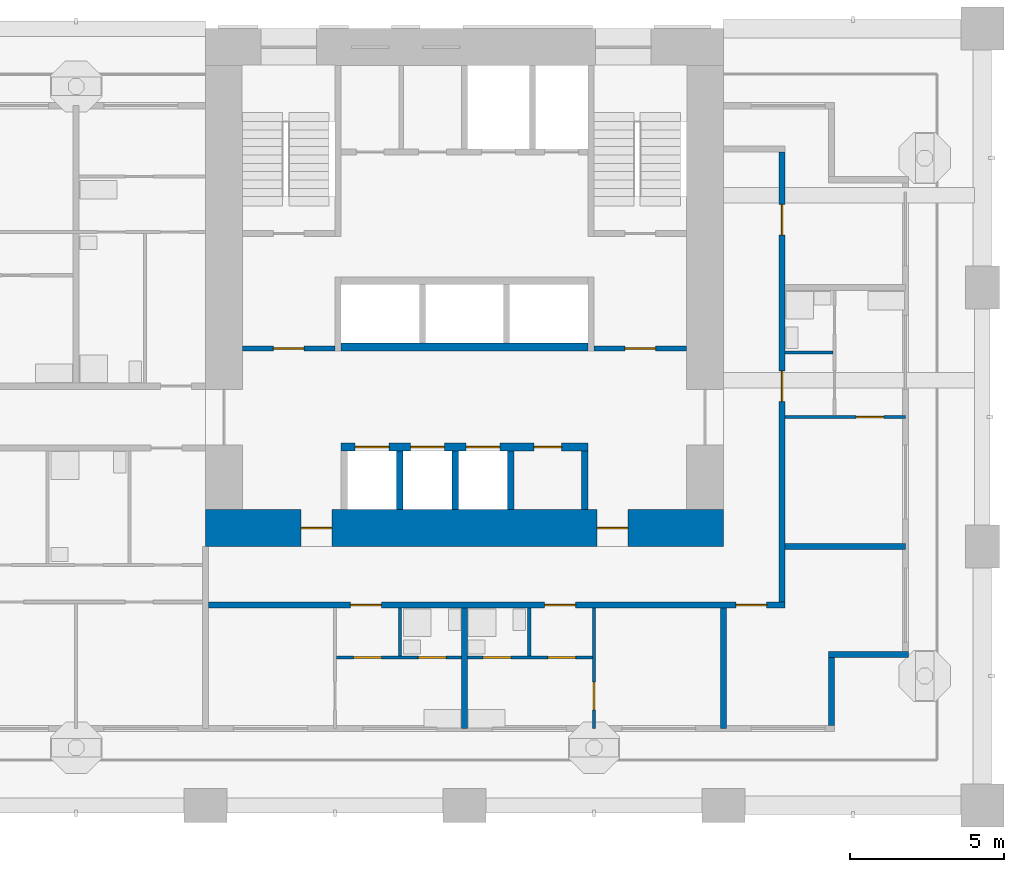
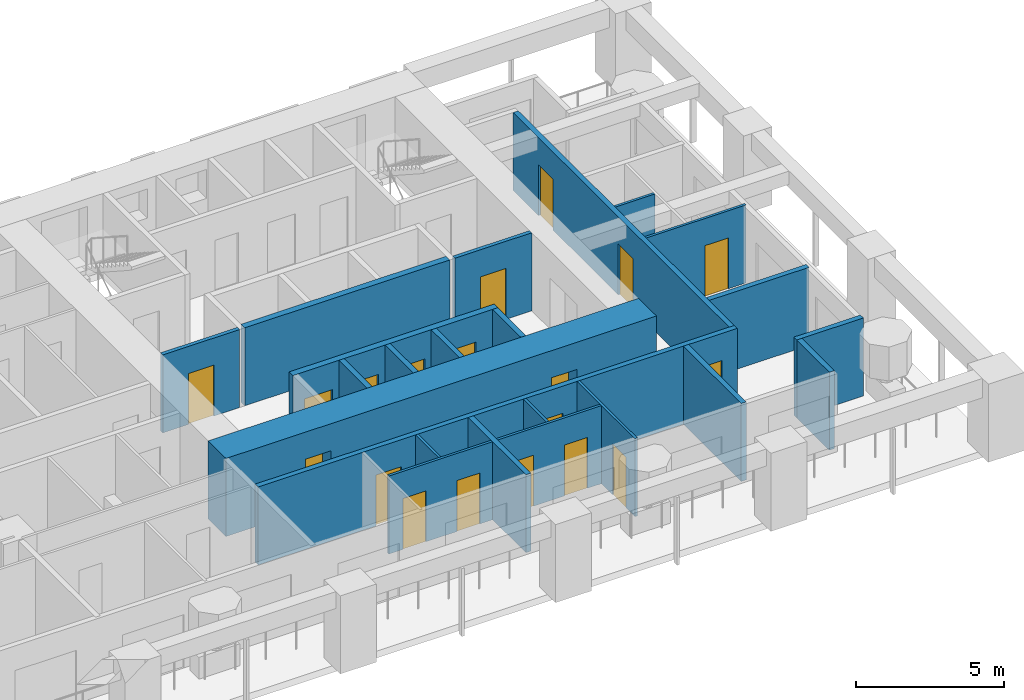
# One storey, part 6 of 21: 22 walls, 19 doors, 19 openings.
"""IFC4 building model written with IfcOpenShell, lengths in metres."""

from ifc_helpers import new_model, si_unit, direction, frame, frame_2d, origin, place, context, subcontext, project, spatial, rectangle, extrude, material, layer, layer_set, type_object, element, fill, save


model = new_model("IFC4")

# Units and contexts
model_context = context("Model", 3, precision=1e-05, world=origin(), true_north=direction((0.0, 1.0)))
body_context = subcontext(model_context, "Body", "Model", "MODEL_VIEW")
ifc_project = project(units=[si_unit("LENGTHUNIT", "METRE"), si_unit("AREAUNIT", "SQUARE_METRE"), si_unit("VOLUMEUNIT", "CUBIC_METRE"), si_unit("PLANEANGLEUNIT", "RADIAN"), si_unit("MASSUNIT", "GRAM", prefix="KILO")], contexts=[model_context])

# Site, building, storey
site_placement = place(None, origin())
site = spatial("IfcSite", under=ifc_project, at=site_placement, CompositionType="ELEMENT")
building_placement = place(site_placement, origin())
building = spatial("IfcBuilding", under=site, at=building_placement, Name="Vermilion Gate Residences", CompositionType="ELEMENT")
storey_placement = place(building_placement, frame((0.0, 0.0, 67.199951171875)))
storey = spatial("IfcBuildingStorey", under=building, at=storey_placement, Name="L16", CompositionType="ELEMENT", Elevation=67.199951171875)

# Wall, opening, door
ifc_material_1 = material(Name="Masonry blockwork", Category="masonry")
ifc_layer_1 = layer(ifc_material_1, 0.14990234375)
ifc_layer_set_1 = layer_set([ifc_layer_1], Name="BLOCKWORK PARTITION 150 EI 120")
wall_type_1 = type_object("IfcWallType", Name="BLOCKWORK PARTITION 150 EI 120", PredefinedType="PARTITIONING", material=ifc_layer_set_1)
wall_1_placement = place(storey_placement, frame((43.199951171875, 14.824951171875, 0.0), z_axis=(0.0, 0.0, 1.0), x_axis=(1.0, 0.0, 0.0)))
wall_1 = element("IfcWall", 1, at=wall_1_placement, inside=storey, type_object=wall_type_1, Name="Core room partition A16-VW-S", PredefinedType="PARTITIONING", context=body_context, shape_type="SweptSolid", body=[
    extrude(rectangle(XDim=3.0, YDim=0.14990234375, at=frame_2d((1.5, 0.0))), origin(), (0.0, 0.0, 1.0), 3.219970703125),
])
opening_1_placement = place(wall_1_placement, frame((1.0, 0.0, 0.0)))
opening_1 = element("IfcOpeningElement", 2, at=opening_1_placement, cuts=wall_1, Name="Opening DK16013", PredefinedType="OPENING", context=body_context, shape_type="SweptSolid", body=[
    extrude(rectangle(XDim=1.0, YDim=2.10009765625, at=frame_2d((0.5, 1.050048828125))), frame((0.0, 0.0849609375, 0.0), z_axis=(0.0, -1.0, 0.0), x_axis=(1.0, 0.0, 0.0)), (0.0, 0.0, 1.0), 0.169921875),
])
ifc_material_2 = material(Name="Steel", Category="steel")
door_type_1 = type_object("IfcDoorType", Name="FIRE DOOR FD60 1000 X 2100", OperationType="SINGLE_SWING_LEFT", PredefinedType="DOOR", material=ifc_material_2)
door_1_placement = place(opening_1_placement, frame((1.0, 0.0, 0.0), z_axis=(0.0, 0.0, 1.0), x_axis=(-1.0, 0.0, 0.0)))
door_1 = element("IfcDoor", 3, at=door_1_placement, inside=storey, type_object=door_type_1, Name="Stair vestibule door A16", OperationType="SINGLE_SWING_RIGHT", OverallHeight=2.10009765625, OverallWidth=1.0, PredefinedType="DOOR", context=body_context, shape_type="SweptSolid", body=[
    extrude(rectangle(XDim=1.0, YDim=2.10009765625, at=frame_2d((0.5, 1.050048828125))), frame((0.0, 0.02490234375, 0.0), z_axis=(0.0, -1.0, 0.0), x_axis=(1.0, 0.0, 0.0)), (0.0, 0.0, 1.0), 0.050048828125),
])
fill(opening_1, door_1)

wall_2_placement = place(storey_placement, frame((54.60009765625, 14.824951171875, 0.0), z_axis=(0.0, 0.0, 1.0), x_axis=(1.0, 0.0, 0.0)))
wall_2 = element("IfcWall", 4, at=wall_2_placement, inside=storey, type_object=wall_type_1, Name="Core room partition A16-VE-S", PredefinedType="PARTITIONING", context=body_context, shape_type="SweptSolid", body=[
    extrude(rectangle(XDim=3.0, YDim=0.14990234375, at=frame_2d((1.5, 0.0))), origin(), (0.0, 0.0, 1.0), 3.219970703125),
])
opening_2_placement = place(wall_2_placement, frame((1.0, 0.0, 0.0)))
opening_2 = element("IfcOpeningElement", 5, at=opening_2_placement, cuts=wall_2, Name="Opening DK16015", PredefinedType="OPENING", context=body_context, shape_type="SweptSolid", body=[
    extrude(rectangle(XDim=1.0, YDim=2.10009765625, at=frame_2d((0.5, 1.050048828125))), frame((0.0, 0.0849609375, 0.0), z_axis=(0.0, -1.0, 0.0), x_axis=(1.0, 0.0, 0.0)), (0.0, 0.0, 1.0), 0.169921875),
])
door_2_placement = place(opening_2_placement, frame((1.0, 0.0, 0.0), z_axis=(0.0, 0.0, 1.0), x_axis=(-1.0, 0.0, 0.0)))
door_2 = element("IfcDoor", 6, at=door_2_placement, inside=storey, type_object=door_type_1, Name="Stair vestibule door A16", OperationType="SINGLE_SWING_LEFT", OverallHeight=2.10009765625, OverallWidth=1.0, PredefinedType="DOOR", context=body_context, shape_type="SweptSolid", body=[
    extrude(rectangle(XDim=1.0, YDim=2.10009765625, at=frame_2d((0.5, 1.050048828125))), frame((0.0, 0.02490234375, 0.0), z_axis=(0.0, -1.0, 0.0), x_axis=(1.0, 0.0, 0.0)), (0.0, 0.0, 1.0), 0.050048828125),
])
fill(opening_2, door_2)

# Walls
ifc_material_3 = material(Name="Insulated steel stud wall with terracotta rainscreen", Category="masonry")
ifc_layer_2 = layer(ifc_material_3, 0.199951171875)
ifc_layer_set_2 = layer_set([ifc_layer_2], Name="EXTERNAL WALL 200 TERRACOTTA RAINSCREEN")
wall_type_2 = type_object("IfcWallType", Name="EXTERNAL WALL 200 TERRACOTTA RAINSCREEN", PredefinedType="SOLIDWALL", material=ifc_layer_set_2)
wall_3_placement = place(storey_placement, frame((62.300048828125, 2.60009765625, 0.0), z_axis=(0.0, 0.0, 1.0), x_axis=(0.0, 1.0, 0.0)))
element("IfcWall", 7, at=wall_3_placement, inside=storey, type_object=wall_type_2, Name="External wall", PredefinedType="SOLIDWALL", context=body_context, shape_type="SweptSolid", body=[
    extrude(rectangle(XDim=2.199951171875, YDim=0.199951171875, at=frame_2d((1.10009765625, 0.0))), origin(), (0.0, 0.0, 1.0), 3.219970703125),
])
wall_4_placement = place(storey_placement, frame((62.199951171875, 4.89990234375, 0.0), z_axis=(0.0, 0.0, 1.0), x_axis=(1.0, 0.0, 0.0)))
element("IfcWall", 8, at=wall_4_placement, inside=storey, type_object=wall_type_2, Name="External wall", PredefinedType="SOLIDWALL", context=body_context, shape_type="SweptSolid", body=[
    extrude(rectangle(XDim=2.60009765625, YDim=0.199951171875, at=frame_2d((1.300048828125, 0.0))), origin(), (0.0, 0.0, 1.0), 3.219970703125),
])

# Wall, openings, doors
ifc_material_4 = material(Name="Plasterboard on steel studs", Category="steel")
ifc_layer_3 = layer(ifc_material_4, 0.10009765625)
ifc_layer_set_3 = layer_set([ifc_layer_3], Name="PARTITION 100")
wall_type_3 = type_object("IfcWallType", Name="PARTITION 100", PredefinedType="PARTITIONING", material=ifc_layer_set_3)
wall_5_placement = place(storey_placement, frame((46.25, 4.800048828125, 0.0), z_axis=(0.0, 0.0, 1.0), x_axis=(1.0, 0.0, 0.0)))
wall_5 = element("IfcWall", 9, at=wall_5_placement, inside=storey, type_object=wall_type_3, Name="Partition", PredefinedType="PARTITIONING", context=body_context, shape_type="SweptSolid", body=[
    extrude(rectangle(XDim=8.300048828125, YDim=0.10009765625, at=frame_2d((4.14990234375, 0.0))), origin(), (0.0, 0.0, 1.0), 3.219970703125),
])
opening_3_placement = place(wall_5_placement, frame((0.550048828125, 0.0, 0.0)))
opening_3 = element("IfcOpeningElement", 10, at=opening_3_placement, cuts=wall_5, Name="Opening DA16002", PredefinedType="OPENING", context=body_context, shape_type="SweptSolid", body=[
    extrude(rectangle(XDim=0.89990234375, YDim=2.10009765625, at=frame_2d((0.449951171875, 1.050048828125))), frame((0.0, 0.06005859375, 0.0), z_axis=(0.0, -1.0, 0.0), x_axis=(1.0, 0.0, 0.0)), (0.0, 0.0, 1.0), 0.1201171875),
])
opening_4_placement = place(wall_5_placement, frame((2.64990234375, 0.0, 0.0)))
opening_4 = element("IfcOpeningElement", 11, at=opening_4_placement, cuts=wall_5, Name="Opening DA16003", PredefinedType="OPENING", context=body_context, shape_type="SweptSolid", body=[
    extrude(rectangle(XDim=0.89990234375, YDim=2.10009765625, at=frame_2d((0.449951171875, 1.050048828125))), frame((0.0, 0.06005859375, 0.0), z_axis=(0.0, -1.0, 0.0), x_axis=(1.0, 0.0, 0.0)), (0.0, 0.0, 1.0), 0.1201171875),
])
opening_5_placement = place(wall_5_placement, frame((6.85009765625, 0.0, 0.0)))
opening_5 = element("IfcOpeningElement", 12, at=opening_5_placement, cuts=wall_5, Name="Opening DA16004", PredefinedType="OPENING", context=body_context, shape_type="SweptSolid", body=[
    extrude(rectangle(XDim=0.89990234375, YDim=2.10009765625, at=frame_2d((0.449951171875, 1.050048828125))), frame((0.0, 0.06005859375, 0.0), z_axis=(0.0, -1.0, 0.0), x_axis=(1.0, 0.0, 0.0)), (0.0, 0.0, 1.0), 0.1201171875),
])
opening_6_placement = place(wall_5_placement, frame((4.75, 0.0, 0.0)))
opening_6 = element("IfcOpeningElement", 13, at=opening_6_placement, cuts=wall_5, Name="Opening DA16005", PredefinedType="OPENING", context=body_context, shape_type="SweptSolid", body=[
    extrude(rectangle(XDim=0.89990234375, YDim=2.10009765625, at=frame_2d((0.449951171875, 1.050048828125))), frame((0.0, 0.06005859375, 0.0), z_axis=(0.0, -1.0, 0.0), x_axis=(1.0, 0.0, 0.0)), (0.0, 0.0, 1.0), 0.1201171875),
])
ifc_material_5 = material(Name="Timber", Category="wood")
door_type_2 = type_object("IfcDoorType", Name="INTERIOR DOOR 900 X 2100", OperationType="SINGLE_SWING_LEFT", PredefinedType="DOOR", material=ifc_material_5)
door_3_placement = place(opening_3_placement, frame((0.89990234375, 0.0, 0.0), z_axis=(0.0, 0.0, 1.0), x_axis=(-1.0, 0.0, 0.0)))
door_3 = element("IfcDoor", 14, at=door_3_placement, inside=storey, type_object=door_type_2, Name="Interior door", OperationType="SINGLE_SWING_RIGHT", OverallHeight=2.10009765625, OverallWidth=0.89990234375, PredefinedType="DOOR", context=body_context, shape_type="SweptSolid", body=[
    extrude(rectangle(XDim=0.89990234375, YDim=2.10009765625, at=frame_2d((0.449951171875, 1.050048828125))), frame((0.0, 0.02490234375, 0.0), z_axis=(0.0, -1.0, 0.0), x_axis=(1.0, 0.0, 0.0)), (0.0, 0.0, 1.0), 0.050048828125),
])
fill(opening_3, door_3)
door_4_placement = place(opening_4_placement, origin())
door_4 = element("IfcDoor", 15, at=door_4_placement, inside=storey, type_object=door_type_2, Name="Interior door", OperationType="SINGLE_SWING_RIGHT", OverallHeight=2.10009765625, OverallWidth=0.89990234375, PredefinedType="DOOR", context=body_context, shape_type="SweptSolid", body=[
    extrude(rectangle(XDim=0.89990234375, YDim=2.10009765625, at=frame_2d((0.449951171875, 1.050048828125))), frame((0.0, 0.02490234375, 0.0), z_axis=(0.0, -1.0, 0.0), x_axis=(1.0, 0.0, 0.0)), (0.0, 0.0, 1.0), 0.050048828125),
])
fill(opening_4, door_4)
door_5_placement = place(opening_5_placement, frame((0.89990234375, 0.0, 0.0), z_axis=(0.0, 0.0, 1.0), x_axis=(-1.0, 0.0, 0.0)))
door_5 = element("IfcDoor", 16, at=door_5_placement, inside=storey, type_object=door_type_2, Name="Interior door", OperationType="SINGLE_SWING_LEFT", OverallHeight=2.10009765625, OverallWidth=0.89990234375, PredefinedType="DOOR", context=body_context, shape_type="SweptSolid", body=[
    extrude(rectangle(XDim=0.89990234375, YDim=2.10009765625, at=frame_2d((0.449951171875, 1.050048828125))), frame((0.0, 0.02490234375, 0.0), z_axis=(0.0, -1.0, 0.0), x_axis=(1.0, 0.0, 0.0)), (0.0, 0.0, 1.0), 0.050048828125),
])
fill(opening_5, door_5)
door_6_placement = place(opening_6_placement, origin())
door_6 = element("IfcDoor", 17, at=door_6_placement, inside=storey, type_object=door_type_2, Name="Interior door", OperationType="SINGLE_SWING_RIGHT", OverallHeight=2.10009765625, OverallWidth=0.89990234375, PredefinedType="DOOR", context=body_context, shape_type="SweptSolid", body=[
    extrude(rectangle(XDim=0.89990234375, YDim=2.10009765625, at=frame_2d((0.449951171875, 1.050048828125))), frame((0.0, 0.02490234375, 0.0), z_axis=(0.0, -1.0, 0.0), x_axis=(1.0, 0.0, 0.0)), (0.0, 0.0, 1.0), 0.050048828125),
])
fill(opening_6, door_6)

# Wall, opening, door
wall_6_placement = place(storey_placement, frame((60.800048828125, 12.60009765625, 0.0), z_axis=(0.0, 0.0, 1.0), x_axis=(1.0, 0.0, 0.0)))
wall_6 = element("IfcWall", 18, at=wall_6_placement, inside=storey, type_object=wall_type_3, Name="Partition", PredefinedType="PARTITIONING", context=body_context, shape_type="SweptSolid", body=[
    extrude(rectangle(XDim=3.89990234375, YDim=0.10009765625, at=frame_2d((1.949951171875, 0.0))), origin(), (0.0, 0.0, 1.0), 3.219970703125),
])
opening_7_placement = place(wall_6_placement, frame((2.300048828125, 0.0, 0.0)))
opening_7 = element("IfcOpeningElement", 19, at=opening_7_placement, cuts=wall_6, Name="Opening DA16029", PredefinedType="OPENING", context=body_context, shape_type="SweptSolid", body=[
    extrude(rectangle(XDim=0.89990234375, YDim=2.10009765625, at=frame_2d((0.449951171875, 1.050048828125))), frame((0.0, 0.06005859375, 0.0), z_axis=(0.0, -1.0, 0.0), x_axis=(1.0, 0.0, 0.0)), (0.0, 0.0, 1.0), 0.1201171875),
])
door_7_placement = place(opening_7_placement, origin())
door_7 = element("IfcDoor", 20, at=door_7_placement, inside=storey, type_object=door_type_2, Name="Interior door", OperationType="SINGLE_SWING_RIGHT", OverallHeight=2.10009765625, OverallWidth=0.89990234375, PredefinedType="DOOR", context=body_context, shape_type="SweptSolid", body=[
    extrude(rectangle(XDim=0.89990234375, YDim=2.10009765625, at=frame_2d((0.449951171875, 1.050048828125))), frame((0.0, 0.02490234375, 0.0), z_axis=(0.0, -1.0, 0.0), x_axis=(1.0, 0.0, 0.0)), (0.0, 0.0, 1.0), 0.050048828125),
])
fill(opening_7, door_7)

# Walls
wall_7_placement = place(storey_placement, frame((60.800048828125, 14.699951171875, 0.0), z_axis=(0.0, 0.0, 1.0), x_axis=(1.0, 0.0, 0.0)))
element("IfcWall", 21, at=wall_7_placement, inside=storey, type_object=wall_type_3, Name="Partition", PredefinedType="PARTITIONING", context=body_context, shape_type="SweptSolid", body=[
    extrude(rectangle(XDim=1.550048828125, YDim=0.10009765625, at=frame_2d((0.77490234375, 0.0))), origin(), (0.0, 0.0, 1.0), 3.219970703125),
])
for number, where, z_axis, x_axis, name in (
    (22, (48.300048828125, 4.85009765625, 0.0), (0.0, 0.0, 1.0), (0.0, 1.0, 0.0), "Partition"),
    (23, (52.5, 4.85009765625, 0.0), (0.0, 0.0, 1.0), (0.0, 1.0, 0.0), "Partition"),
):
    element("IfcWall", number, at=place(storey_placement, frame(where, z_axis=z_axis, x_axis=x_axis)), inside=storey, type_object=wall_type_3, Name=name, PredefinedType="PARTITIONING", context=body_context, shape_type="SweptSolid", body=[
        extrude(rectangle(XDim=1.5498046875, YDim=0.10009765625, at=frame_2d((0.77490234375, 0.0))), origin(), (0.0, 0.0, 1.0), 3.219970703125),
    ])

# Wall, opening, door
wall_8_placement = place(storey_placement, frame((54.60009765625, 2.5, 0.0), z_axis=(0.0, 0.0, 1.0), x_axis=(0.0, 1.0, 0.0)))
wall_8 = element("IfcWall", 24, at=wall_8_placement, inside=storey, type_object=wall_type_3, Name="Partition", PredefinedType="PARTITIONING", context=body_context, shape_type="SweptSolid", body=[
    extrude(rectangle(XDim=3.89990234375, YDim=0.10009765625, at=frame_2d((1.949951171875, 0.0))), origin(), (0.0, 0.0, 1.0), 3.219970703125),
])
opening_8_placement = place(wall_8_placement, frame((0.60009765625, 0.0, 0.0)))
opening_8 = element("IfcOpeningElement", 25, at=opening_8_placement, cuts=wall_8, Name="Opening DA16082", PredefinedType="OPENING", context=body_context, shape_type="SweptSolid", body=[
    extrude(rectangle(XDim=0.89990234375, YDim=2.10009765625, at=frame_2d((0.449951171875, 1.050048828125))), frame((0.0, 0.06005859375, 0.0), z_axis=(0.0, -1.0, 0.0), x_axis=(1.0, 0.0, 0.0)), (0.0, 0.0, 1.0), 0.1201171875),
])
door_8_placement = place(opening_8_placement, origin())
door_8 = element("IfcDoor", 26, at=door_8_placement, inside=storey, type_object=door_type_2, Name="Interior door", OperationType="SINGLE_SWING_LEFT", OverallHeight=2.10009765625, OverallWidth=0.89990234375, PredefinedType="DOOR", context=body_context, shape_type="SweptSolid", body=[
    extrude(rectangle(XDim=0.89990234375, YDim=2.10009765625, at=frame_2d((0.449951171875, 1.050048828125))), frame((0.0, 0.02490234375, 0.0), z_axis=(0.0, -1.0, 0.0), x_axis=(1.0, 0.0, 0.0)), (0.0, 0.0, 1.0), 0.050048828125),
])
fill(opening_8, door_8)

# Wall, openings, doors
ifc_material_6 = material(Name="Fire-rated plasterboard on steel studs", Category="steel")
ifc_layer_4 = layer(ifc_material_6, 0.199951171875)
ifc_layer_set_4 = layer_set([ifc_layer_4], Name="PARTY WALL 200 EI 120")
wall_type_4 = type_object("IfcWallType", Name="PARTY WALL 200 EI 120", PredefinedType="PARTITIONING", material=ifc_layer_set_4)
wall_9_placement = place(storey_placement, frame((42.10009765625, 6.5, 0.0), z_axis=(0.0, 0.0, 1.0), x_axis=(1.0, 0.0, 0.0)))
wall_9 = element("IfcWall", 27, at=wall_9_placement, inside=storey, type_object=wall_type_4, Name="Party and corridor wall", PredefinedType="PARTITIONING", context=body_context, shape_type="SweptSolid", body=[
    extrude(rectangle(XDim=18.699951171875, YDim=0.199951171875, at=frame_2d((9.35009765625, 0.0))), origin(), (0.0, 0.0, 1.0), 3.219970703125),
])
opening_9_placement = place(wall_9_placement, frame((4.60009765625, 0.0, 0.0)))
opening_9 = element("IfcOpeningElement", 28, at=opening_9_placement, cuts=wall_9, Name="Opening DA16006", PredefinedType="OPENING", context=body_context, shape_type="SweptSolid", body=[
    extrude(rectangle(XDim=1.0, YDim=2.10009765625, at=frame_2d((0.5, 1.050048828125))), frame((0.0, 0.10986328125, 0.0), z_axis=(0.0, -1.0, 0.0), x_axis=(1.0, 0.0, 0.0)), (0.0, 0.0, 1.0), 0.219970703125),
])
opening_10_placement = place(wall_9_placement, frame((10.89990234375, 0.0, 0.0)))
opening_10 = element("IfcOpeningElement", 29, at=opening_10_placement, cuts=wall_9, Name="Opening DA16007", PredefinedType="OPENING", context=body_context, shape_type="SweptSolid", body=[
    extrude(rectangle(XDim=1.0, YDim=2.10009765625, at=frame_2d((0.5, 1.050048828125))), frame((0.0, 0.10986328125, 0.0), z_axis=(0.0, -1.0, 0.0), x_axis=(1.0, 0.0, 0.0)), (0.0, 0.0, 1.0), 0.219970703125),
])
opening_11_placement = place(wall_9_placement, frame((17.10009765625, 0.0, 0.0)))
opening_11 = element("IfcOpeningElement", 30, at=opening_11_placement, cuts=wall_9, Name="Opening DA16008", PredefinedType="OPENING", context=body_context, shape_type="SweptSolid", body=[
    extrude(rectangle(XDim=1.0, YDim=2.10009765625, at=frame_2d((0.5, 1.050048828125))), frame((0.0, 0.10986328125, 0.0), z_axis=(0.0, -1.0, 0.0), x_axis=(1.0, 0.0, 0.0)), (0.0, 0.0, 1.0), 0.219970703125),
])
ifc_material_7 = material(Name="Steel", Category="steel")
door_type_3 = type_object("IfcDoorType", Name="ENTRANCE DOOR 1000 X 2100 FD30", OperationType="SINGLE_SWING_LEFT", PredefinedType="DOOR", material=ifc_material_7)
door_9_placement = place(opening_9_placement, frame((1.0, 0.0, 0.0), z_axis=(0.0, 0.0, 1.0), x_axis=(-1.0, 0.0, 0.0)))
door_9 = element("IfcDoor", 31, at=door_9_placement, inside=storey, type_object=door_type_3, Name="Entrance door", OperationType="SINGLE_SWING_RIGHT", OverallHeight=2.10009765625, OverallWidth=1.0, PredefinedType="DOOR", context=body_context, shape_type="SweptSolid", body=[
    extrude(rectangle(XDim=1.0, YDim=2.10009765625, at=frame_2d((0.5, 1.050048828125))), frame((0.0, 0.02490234375, 0.0), z_axis=(0.0, -1.0, 0.0), x_axis=(1.0, 0.0, 0.0)), (0.0, 0.0, 1.0), 0.050048828125),
])
fill(opening_9, door_9)
door_10_placement = place(opening_10_placement, frame((1.0, 0.0, 0.0), z_axis=(0.0, 0.0, 1.0), x_axis=(-1.0, 0.0, 0.0)))
door_10 = element("IfcDoor", 32, at=door_10_placement, inside=storey, type_object=door_type_3, Name="Entrance door", OperationType="SINGLE_SWING_RIGHT", OverallHeight=2.10009765625, OverallWidth=1.0, PredefinedType="DOOR", context=body_context, shape_type="SweptSolid", body=[
    extrude(rectangle(XDim=1.0, YDim=2.10009765625, at=frame_2d((0.5, 1.050048828125))), frame((0.0, 0.02490234375, 0.0), z_axis=(0.0, -1.0, 0.0), x_axis=(1.0, 0.0, 0.0)), (0.0, 0.0, 1.0), 0.050048828125),
])
fill(opening_10, door_10)
door_11_placement = place(opening_11_placement, frame((1.0, 0.0, 0.0), z_axis=(0.0, 0.0, 1.0), x_axis=(-1.0, 0.0, 0.0)))
door_11 = element("IfcDoor", 33, at=door_11_placement, inside=storey, type_object=door_type_3, Name="Entrance door", OperationType="SINGLE_SWING_RIGHT", OverallHeight=2.10009765625, OverallWidth=1.0, PredefinedType="DOOR", context=body_context, shape_type="SweptSolid", body=[
    extrude(rectangle(XDim=1.0, YDim=2.10009765625, at=frame_2d((0.5, 1.050048828125))), frame((0.0, 0.02490234375, 0.0), z_axis=(0.0, -1.0, 0.0), x_axis=(1.0, 0.0, 0.0)), (0.0, 0.0, 1.0), 0.050048828125),
])
fill(opening_11, door_11)

# Walls
for number, where, z_axis, x_axis, name in (
    (34, (60.800048828125, 8.39990234375, 0.0), (0.0, 0.0, 1.0), (1.0, 0.0, 0.0), "Party and corridor wall"),
    (35, (50.39990234375, 2.5, 0.0), (0.0, 0.0, 1.0), (0.0, 1.0, 0.0), "Party and corridor wall"),
    (36, (58.800048828125, 2.5, 0.0), (0.0, 0.0, 1.0), (0.0, 1.0, 0.0), "Party and corridor wall"),
):
    element("IfcWall", number, at=place(storey_placement, frame(where, z_axis=z_axis, x_axis=x_axis)), inside=storey, type_object=wall_type_4, Name=name, PredefinedType="PARTITIONING", context=body_context, shape_type="SweptSolid", body=[
        extrude(rectangle(XDim=3.89990234375, YDim=0.199951171875, at=frame_2d((1.949951171875, 0.0))), origin(), (0.0, 0.0, 1.0), 3.219970703125),
    ])

# Wall, openings, doors
wall_10_placement = place(storey_placement, frame((60.699951171875, 6.60009765625, 0.0), z_axis=(0.0, 0.0, 1.0), x_axis=(0.0, 1.0, 0.0)))
wall_10 = element("IfcWall", 37, at=wall_10_placement, inside=storey, type_object=wall_type_4, Name="Party and corridor wall", PredefinedType="PARTITIONING", context=body_context, shape_type="SweptSolid", body=[
    extrude(rectangle(XDim=14.599853515625, YDim=0.199951171875, at=frame_2d((7.2998046875, 0.0))), origin(), (0.0, 0.0, 1.0), 3.219970703125),
])
opening_12_placement = place(wall_10_placement, frame((6.5, 0.0, 0.0)))
opening_12 = element("IfcOpeningElement", 38, at=opening_12_placement, cuts=wall_10, Name="Opening DA16083", PredefinedType="OPENING", context=body_context, shape_type="SweptSolid", body=[
    extrude(rectangle(XDim=1.0, YDim=2.10009765625, at=frame_2d((0.5, 1.050048828125))), frame((0.0, 0.10986328125, 0.0), z_axis=(0.0, -1.0, 0.0), x_axis=(1.0, 0.0, 0.0)), (0.0, 0.0, 1.0), 0.219970703125),
])
opening_13_placement = place(wall_10_placement, frame((11.89990234375, 0.0, 0.0)))
opening_13 = element("IfcOpeningElement", 39, at=opening_13_placement, cuts=wall_10, Name="Opening DA16084", PredefinedType="OPENING", context=body_context, shape_type="SweptSolid", body=[
    extrude(rectangle(XDim=1.0, YDim=2.10009765625, at=frame_2d((0.5, 1.050048828125))), frame((0.0, 0.10986328125, 0.0), z_axis=(0.0, -1.0, 0.0), x_axis=(1.0, 0.0, 0.0)), (0.0, 0.0, 1.0), 0.219970703125),
])
door_12_placement = place(opening_12_placement, frame((1.0, 0.0, 0.0), z_axis=(0.0, 0.0, 1.0), x_axis=(-1.0, 0.0, 0.0)))
door_12 = element("IfcDoor", 40, at=door_12_placement, inside=storey, type_object=door_type_3, Name="Entrance door", OperationType="SINGLE_SWING_RIGHT", OverallHeight=2.10009765625, OverallWidth=1.0, PredefinedType="DOOR", context=body_context, shape_type="SweptSolid", body=[
    extrude(rectangle(XDim=1.0, YDim=2.10009765625, at=frame_2d((0.5, 1.050048828125))), frame((0.0, 0.02490234375, 0.0), z_axis=(0.0, -1.0, 0.0), x_axis=(1.0, 0.0, 0.0)), (0.0, 0.0, 1.0), 0.050048828125),
])
fill(opening_12, door_12)
door_13_placement = place(opening_13_placement, frame((1.0, 0.0, 0.0), z_axis=(0.0, 0.0, 1.0), x_axis=(-1.0, 0.0, 0.0)))
door_13 = element("IfcDoor", 41, at=door_13_placement, inside=storey, type_object=door_type_3, Name="Entrance door", OperationType="SINGLE_SWING_RIGHT", OverallHeight=2.10009765625, OverallWidth=1.0, PredefinedType="DOOR", context=body_context, shape_type="SweptSolid", body=[
    extrude(rectangle(XDim=1.0, YDim=2.10009765625, at=frame_2d((0.5, 1.050048828125))), frame((0.0, 0.02490234375, 0.0), z_axis=(0.0, -1.0, 0.0), x_axis=(1.0, 0.0, 0.0)), (0.0, 0.0, 1.0), 0.050048828125),
])
fill(opening_13, door_13)

# Walls
ifc_material_8 = material(Name="Concrete C60", Category="concrete")
ifc_layer_5 = layer(ifc_material_8, 0.199951171875)
ifc_layer_set_5 = layer_set([ifc_layer_5], Name="RC CORE INTERNAL WALL 200 C60")
wall_type_5 = type_object("IfcWallType", Name="RC CORE INTERNAL WALL 200 C60", PredefinedType="SHEAR", material=ifc_layer_set_5)
for number, where, z_axis, x_axis, name in (
    (42, (48.300048828125, 9.60009765625, 0.0), (0.0, 0.0, 1.0), (0.0, 1.0, 0.0), "Core internal wall A16-LR-D1"),
    (43, (50.10009765625, 9.60009765625, 0.0), (0.0, 0.0, 1.0), (0.0, 1.0, 0.0), "Core internal wall A16-LR-D2"),
    (44, (51.89990234375, 9.60009765625, 0.0), (0.0, 0.0, 1.0), (0.0, 1.0, 0.0), "Core internal wall A16-LR-D3"),
    (45, (54.300048828125, 9.60009765625, 0.0), (0.0, 0.0, 1.0), (0.0, 1.0, 0.0), "Core internal wall A16-LR-DE"),
):
    element("IfcWall", number, at=place(storey_placement, frame(where, z_axis=z_axis, x_axis=x_axis)), inside=storey, type_object=wall_type_5, Name=name, PredefinedType="SHEAR", context=body_context, shape_type="SweptSolid", body=[
        extrude(rectangle(XDim=1.89990234375, YDim=0.199951171875, at=frame_2d((0.949951171875, 0.0))), origin(), (0.0, 0.0, 1.0), 3.219970703125),
    ])

# Wall, openings, doors
ifc_material_9 = material(Name="Concrete C80", Category="concrete")
ifc_layer_6 = layer(ifc_material_9, 1.199951171875)
ifc_layer_set_6 = layer_set([ifc_layer_6], Name="RC CORE WALL 1200 C80")
wall_type_6 = type_object("IfcWallType", Name="RC CORE WALL 1200 C80", PredefinedType="SHEAR", material=ifc_layer_set_6)
wall_11_placement = place(storey_placement, frame((42.0, 9.0, 0.0), z_axis=(0.0, 0.0, 1.0), x_axis=(1.0, 0.0, 0.0)))
wall_11 = element("IfcWall", 46, at=wall_11_placement, inside=storey, type_object=wall_type_6, Name="Core wall A16-OUT-B0", PredefinedType="SHEAR", context=body_context, shape_type="SweptSolid", body=[
    extrude(rectangle(XDim=16.800048828125, YDim=1.199951171875, at=frame_2d((8.39990234375, 0.0))), origin(), (0.0, 0.0, 1.0), 3.219970703125),
])
opening_14_placement = place(wall_11_placement, frame((3.10009765625, 0.0, 0.0)))
opening_14 = element("IfcOpeningElement", 47, at=opening_14_placement, cuts=wall_11, Name="Opening DK16001", PredefinedType="OPENING", context=body_context, shape_type="SweptSolid", body=[
    extrude(rectangle(XDim=1.0, YDim=2.10009765625, at=frame_2d((0.5, 1.050048828125))), frame((0.0, 0.60986328125, 0.0), z_axis=(0.0, -1.0, 0.0), x_axis=(1.0, 0.0, 0.0)), (0.0, 0.0, 1.0), 1.219970703125),
])
opening_15_placement = place(wall_11_placement, frame((12.699951171875, 0.0, 0.0)))
opening_15 = element("IfcOpeningElement", 48, at=opening_15_placement, cuts=wall_11, Name="Opening DK16002", PredefinedType="OPENING", context=body_context, shape_type="SweptSolid", body=[
    extrude(rectangle(XDim=1.0, YDim=2.10009765625, at=frame_2d((0.5, 1.050048828125))), frame((0.0, 0.60986328125, 0.0), z_axis=(0.0, -1.0, 0.0), x_axis=(1.0, 0.0, 0.0)), (0.0, 0.0, 1.0), 1.219970703125),
])
door_14_placement = place(opening_14_placement, origin())
door_14 = element("IfcDoor", 49, at=door_14_placement, inside=storey, type_object=door_type_1, Name="Core lobby side door A16", OperationType="SINGLE_SWING_RIGHT", OverallHeight=2.10009765625, OverallWidth=1.0, PredefinedType="DOOR", context=body_context, shape_type="SweptSolid", body=[
    extrude(rectangle(XDim=1.0, YDim=2.10009765625, at=frame_2d((0.5, 1.050048828125))), frame((0.0, 0.02490234375, 0.0), z_axis=(0.0, -1.0, 0.0), x_axis=(1.0, 0.0, 0.0)), (0.0, 0.0, 1.0), 0.050048828125),
])
fill(opening_14, door_14)
door_15_placement = place(opening_15_placement, origin())
door_15 = element("IfcDoor", 50, at=door_15_placement, inside=storey, type_object=door_type_1, Name="Core lobby side door A16", OperationType="SINGLE_SWING_LEFT", OverallHeight=2.10009765625, OverallWidth=1.0, PredefinedType="DOOR", context=body_context, shape_type="SweptSolid", body=[
    extrude(rectangle(XDim=1.0, YDim=2.10009765625, at=frame_2d((0.5, 1.050048828125))), frame((0.0, 0.02490234375, 0.0), z_axis=(0.0, -1.0, 0.0), x_axis=(1.0, 0.0, 0.0)), (0.0, 0.0, 1.0), 0.050048828125),
])
fill(opening_15, door_15)

ifc_material_10 = material(Name="Concrete C60", Category="concrete")
ifc_layer_7 = layer(ifc_material_10, 0.25)
ifc_layer_set_7 = layer_set([ifc_layer_7], Name="RC LIFT SHAFT WALL 250 C60")
wall_type_7 = type_object("IfcWallType", Name="RC LIFT SHAFT WALL 250 C60", PredefinedType="SHEAR", material=ifc_layer_set_7)
wall_12_placement = place(storey_placement, frame((46.39990234375, 11.625, 0.0), z_axis=(0.0, 0.0, 1.0), x_axis=(1.0, 0.0, 0.0)))
wall_12 = element("IfcWall", 51, at=wall_12_placement, inside=storey, type_object=wall_type_7, Name="Lift shaft wall A16-LR-F", PredefinedType="SHEAR", context=body_context, shape_type="SweptSolid", body=[
    extrude(rectangle(XDim=8.0, YDim=0.25, at=frame_2d((4.0, 0.0))), origin(), (0.0, 0.0, 1.0), 3.219970703125),
])
opening_16_placement = place(wall_12_placement, frame((0.449951171875, 0.0, 0.0)))
opening_16 = element("IfcOpeningElement", 52, at=opening_16_placement, cuts=wall_12, Name="Opening LD", PredefinedType="OPENING", context=body_context, shape_type="SweptSolid", body=[
    extrude(rectangle(XDim=1.10009765625, YDim=2.10009765625, at=frame_2d((0.550048828125, 1.050048828125))), frame((0.0, 0.135009765625, 0.0), z_axis=(0.0, -1.0, 0.0), x_axis=(1.0, 0.0, 0.0)), (0.0, 0.0, 1.0), 0.27001953125),
])
opening_17_placement = place(wall_12_placement, frame((2.25, 0.0, 0.0)))
opening_17 = element("IfcOpeningElement", 53, at=opening_17_placement, cuts=wall_12, Name="Opening LD", PredefinedType="OPENING", context=body_context, shape_type="SweptSolid", body=[
    extrude(rectangle(XDim=1.10009765625, YDim=2.10009765625, at=frame_2d((0.550048828125, 1.050048828125))), frame((0.0, 0.135009765625, 0.0), z_axis=(0.0, -1.0, 0.0), x_axis=(1.0, 0.0, 0.0)), (0.0, 0.0, 1.0), 0.27001953125),
])
opening_18_placement = place(wall_12_placement, frame((4.050048828125, 0.0, 0.0)))
opening_18 = element("IfcOpeningElement", 54, at=opening_18_placement, cuts=wall_12, Name="Opening LD", PredefinedType="OPENING", context=body_context, shape_type="SweptSolid", body=[
    extrude(rectangle(XDim=1.10009765625, YDim=2.10009765625, at=frame_2d((0.550048828125, 1.050048828125))), frame((0.0, 0.135009765625, 0.0), z_axis=(0.0, -1.0, 0.0), x_axis=(1.0, 0.0, 0.0)), (0.0, 0.0, 1.0), 0.27001953125),
])
opening_19_placement = place(wall_12_placement, frame((6.25, 0.0, 0.0)))
opening_19 = element("IfcOpeningElement", 55, at=opening_19_placement, cuts=wall_12, Name="Opening DK16008", PredefinedType="OPENING", context=body_context, shape_type="SweptSolid", body=[
    extrude(rectangle(XDim=0.89990234375, YDim=2.10009765625, at=frame_2d((0.449951171875, 1.050048828125))), frame((0.0, 0.135009765625, 0.0), z_axis=(0.0, -1.0, 0.0), x_axis=(1.0, 0.0, 0.0)), (0.0, 0.0, 1.0), 0.27001953125),
])
ifc_material_11 = material(Name="Stainless steel", Category="steel")
door_type_4 = type_object("IfcDoorType", Name="LIFT LANDING DOOR E60 1100 X 2100", OperationType="DOUBLE_DOOR_SLIDING", PredefinedType="DOOR", material=ifc_material_11)
door_16_placement = place(opening_16_placement, origin())
door_16 = element("IfcDoor", 56, at=door_16_placement, inside=storey, type_object=door_type_4, Name="Lift landing door LRA1", OperationType="DOUBLE_DOOR_SLIDING", OverallHeight=2.10009765625, OverallWidth=1.10009765625, PredefinedType="DOOR", context=body_context, shape_type="SweptSolid", body=[
    extrude(rectangle(XDim=1.10009765625, YDim=2.10009765625, at=frame_2d((0.550048828125, 1.050048828125))), frame((0.0, 0.02490234375, 0.0), z_axis=(0.0, -1.0, 0.0), x_axis=(1.0, 0.0, 0.0)), (0.0, 0.0, 1.0), 0.050048828125),
])
fill(opening_16, door_16)
door_17_placement = place(opening_17_placement, origin())
door_17 = element("IfcDoor", 57, at=door_17_placement, inside=storey, type_object=door_type_4, Name="Lift landing door LRA2", OperationType="DOUBLE_DOOR_SLIDING", OverallHeight=2.10009765625, OverallWidth=1.10009765625, PredefinedType="DOOR", context=body_context, shape_type="SweptSolid", body=[
    extrude(rectangle(XDim=1.10009765625, YDim=2.10009765625, at=frame_2d((0.550048828125, 1.050048828125))), frame((0.0, 0.02490234375, 0.0), z_axis=(0.0, -1.0, 0.0), x_axis=(1.0, 0.0, 0.0)), (0.0, 0.0, 1.0), 0.050048828125),
])
fill(opening_17, door_17)
door_18_placement = place(opening_18_placement, origin())
door_18 = element("IfcDoor", 58, at=door_18_placement, inside=storey, type_object=door_type_4, Name="Lift landing door LRA3", OperationType="DOUBLE_DOOR_SLIDING", OverallHeight=2.10009765625, OverallWidth=1.10009765625, PredefinedType="DOOR", context=body_context, shape_type="SweptSolid", body=[
    extrude(rectangle(XDim=1.10009765625, YDim=2.10009765625, at=frame_2d((0.550048828125, 1.050048828125))), frame((0.0, 0.02490234375, 0.0), z_axis=(0.0, -1.0, 0.0), x_axis=(1.0, 0.0, 0.0)), (0.0, 0.0, 1.0), 0.050048828125),
])
fill(opening_18, door_18)
ifc_material_12 = material(Name="Steel", Category="steel")
door_type_5 = type_object("IfcDoorType", Name="SERVICE ROOM DOOR FD60 900 X 2100", OperationType="SINGLE_SWING_LEFT", PredefinedType="DOOR", material=ifc_material_12)
door_19_placement = place(opening_19_placement, frame((0.89990234375, 0.0, 0.0), z_axis=(0.0, 0.0, 1.0), x_axis=(-1.0, 0.0, 0.0)))
door_19 = element("IfcDoor", 59, at=door_19_placement, inside=storey, type_object=door_type_5, Name="Parcel room A16", OperationType="SINGLE_SWING_RIGHT", OverallHeight=2.10009765625, OverallWidth=0.89990234375, PredefinedType="DOOR", context=body_context, shape_type="SweptSolid", body=[
    extrude(rectangle(XDim=0.89990234375, YDim=2.10009765625, at=frame_2d((0.449951171875, 1.050048828125))), frame((0.0, 0.02490234375, 0.0), z_axis=(0.0, -1.0, 0.0), x_axis=(1.0, 0.0, 0.0)), (0.0, 0.0, 1.0), 0.050048828125),
])
fill(opening_19, door_19)

# Wall
wall_13_placement = place(storey_placement, frame((46.39990234375, 14.875, 0.0), z_axis=(0.0, 0.0, 1.0), x_axis=(1.0, 0.0, 0.0)))
element("IfcWall", 60, at=wall_13_placement, inside=storey, type_object=wall_type_7, Name="Lift shaft wall A16-HR-F", PredefinedType="SHEAR", context=body_context, shape_type="SweptSolid", body=[
    extrude(rectangle(XDim=8.0, YDim=0.25, at=frame_2d((4.0, 0.0))), origin(), (0.0, 0.0, 1.0), 3.219970703125),
])

save(model, "model.ifc")
